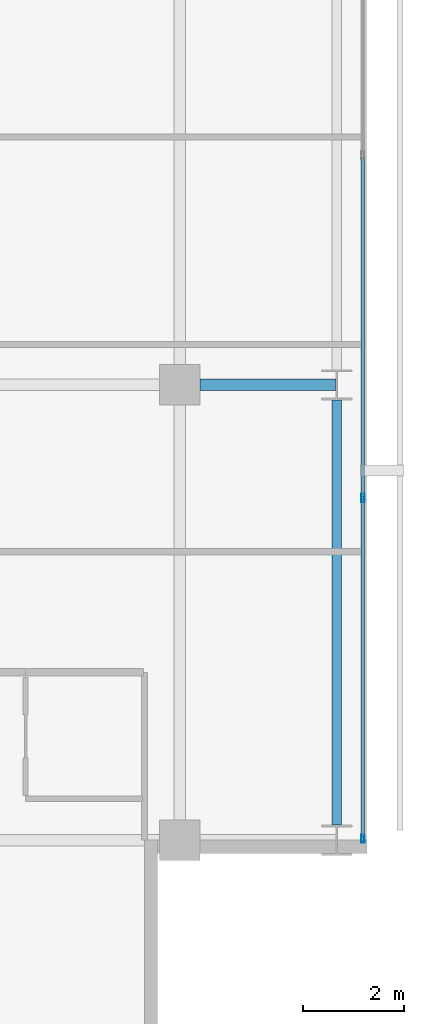
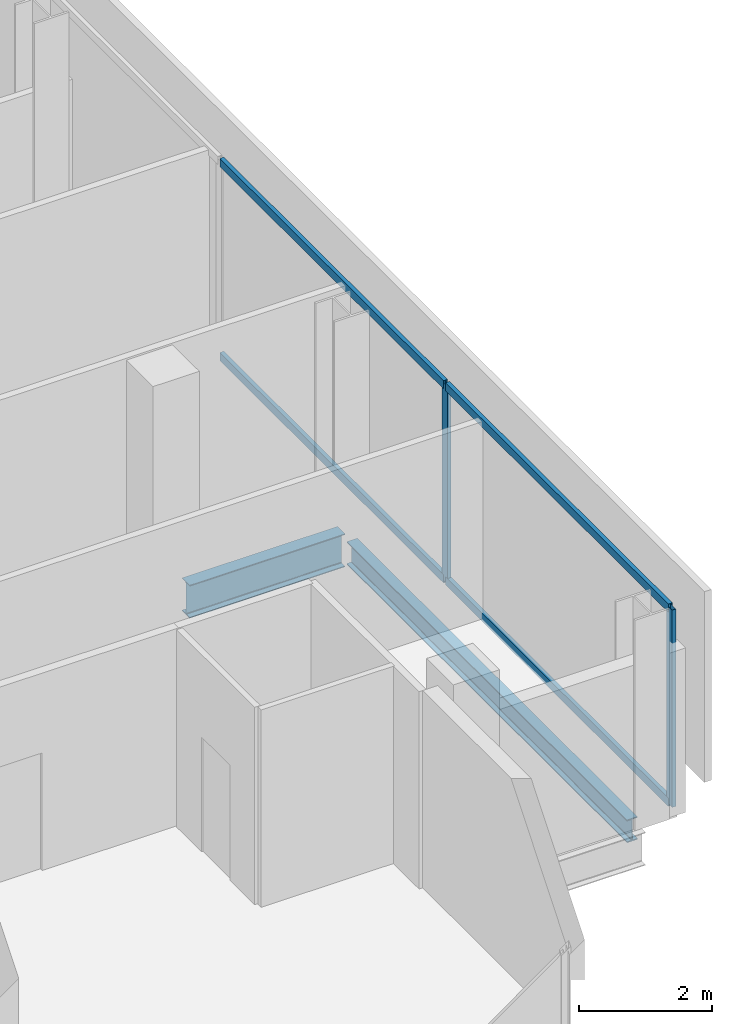
# One storey, part 15 of 34: 6 members, 2 beams, 1 element without a shape of its own.
"""IFC4 building model written with IfcOpenShell, lengths in metres."""

from ifc_helpers import new_model, si_unit, direction, frame, origin, origin_2d, place, context, subcontext, project, spatial, hollow_rectangle, i_section, extrude, material, layer, layer_set, material_profile, profile_set, type_object, element, aggregate, save


model = new_model("IFC4")

# Units and contexts
model_context = context("Model", 3, precision=1e-05, world=origin(), true_north=direction((0.0, 1.0)))
body_context = subcontext(model_context, "Body", "Model", "MODEL_VIEW")
ifc_project = project(units=[si_unit("LENGTHUNIT", "METRE"), si_unit("AREAUNIT", "SQUARE_METRE"), si_unit("VOLUMEUNIT", "CUBIC_METRE"), si_unit("PLANEANGLEUNIT", "RADIAN"), si_unit("MASSUNIT", "GRAM", prefix="KILO")], contexts=[model_context])

# Site, building, storey
site_placement = place(None, origin())
site = spatial("IfcSite", under=ifc_project, at=site_placement, CompositionType="ELEMENT")
building_placement = place(site_placement, origin())
building = spatial("IfcBuilding", under=site, at=building_placement, Name="Maruvema Waterfront Hotel and Observation Tower", CompositionType="ELEMENT")
storey_placement = place(building_placement, frame((0.0, 0.0, 181.300048828125)))
storey = spatial("IfcBuildingStorey", under=building, at=storey_placement, Name="L44", CompositionType="ELEMENT", Elevation=181.300048828125)

# Curtain wall, members
ifc_material_1 = material(Name="Anodised bronze aluminium and solar-control low-E IGU", Category="aluminium")
ifc_layer = layer(ifc_material_1, 0.159912109375, Name="Zone 2 Amber Inner Thermal Curtain Wall System CW-03")
ifc_layer_set = layer_set([ifc_layer], Name="Anodised bronze aluminium and solar-control low-E IGU")
curtain_wall_type = type_object("IfcCurtainWallType", Name="Zone 2 Amber Inner Thermal Curtain Wall System CW-03", PredefinedType="USERDEFINED", material=ifc_layer_set)
curtain_wall_placement = place(storey_placement, origin())
curtain_wall = element("IfcCurtainWall", 1, at=curtain_wall_placement, inside=storey, type_object=curtain_wall_type, Name="L44 Curtain Wall CW-L44-E", ObjectType="UNITISED CURTAIN WALL", PredefinedType="USERDEFINED")
ifc_material_2 = material(Name="Anodised architectural bronze aluminium", Category="aluminium")
ifc_material_profile_1 = material_profile(ifc_material_2, hollow_rectangle(XDim=0.070068359375, YDim=0.14990234375, WallThickness=0.00390625, at=origin_2d()), Name="ALU-T70x150")
ifc_profile_set_1 = profile_set([ifc_material_profile_1], Name="Anodised architectural bronze aluminium")
member_type_1 = type_object("IfcMemberType", Name="Curtain Wall Horizontal Transom ALU-T70x150", PredefinedType="USERDEFINED", material=ifc_profile_set_1)
member_1_placement = place(storey_placement, frame((62.419921875, 9.06005859375, 0.030029296875), z_axis=(0.0, 1.0, 0.0), x_axis=(-1.0, 0.0, 0.0)))
member_1 = element("IfcMember", 2, at=member_1_placement, type_object=member_type_1, Name="CW-03 transom 1.1", ObjectType="TRANSOM", PredefinedType="USERDEFINED", context=body_context, shape_type="SweptSolid", body=[
    extrude(hollow_rectangle(XDim=0.070068359375, YDim=0.14990234375, WallThickness=0.00390625, at=origin_2d()), origin(), (0.0, 0.0, 1.0), 6.676513671875),
])
member_2_placement = place(storey_placement, frame((62.419921875, 9.06005859375, 3.579833984375), z_axis=(0.0, 1.0, 0.0), x_axis=(-1.0, 0.0, 0.0)))
member_2 = element("IfcMember", 3, at=member_2_placement, type_object=member_type_1, Name="CW-03 transom 1.2", ObjectType="TRANSOM", PredefinedType="USERDEFINED", context=body_context, shape_type="SweptSolid", body=[
    extrude(hollow_rectangle(XDim=0.070068359375, YDim=0.14990234375, WallThickness=0.00390625, at=origin_2d()), origin(), (0.0, 0.0, 1.0), 6.676513671875),
])
member_3_placement = place(storey_placement, frame((62.419921875, 15.796630859375, 0.030029296875), z_axis=(0.0, 1.0, 0.0), x_axis=(-1.0, 0.0, 0.0)))
member_3 = element("IfcMember", 4, at=member_3_placement, type_object=member_type_1, Name="CW-03 transom 2.1", ObjectType="TRANSOM", PredefinedType="USERDEFINED", context=body_context, shape_type="SweptSolid", body=[
    extrude(hollow_rectangle(XDim=0.070068359375, YDim=0.14990234375, WallThickness=0.00390625, at=origin_2d()), origin(), (0.0, 0.0, 1.0), 6.706787109375),
])
member_4_placement = place(storey_placement, frame((62.419921875, 15.796630859375, 3.579833984375), z_axis=(0.0, 1.0, 0.0), x_axis=(-1.0, 0.0, 0.0)))
member_4 = element("IfcMember", 5, at=member_4_placement, type_object=member_type_1, Name="CW-03 transom 2.2", ObjectType="TRANSOM", PredefinedType="USERDEFINED", context=body_context, shape_type="SweptSolid", body=[
    extrude(hollow_rectangle(XDim=0.070068359375, YDim=0.14990234375, WallThickness=0.00390625, at=origin_2d()), origin(), (0.0, 0.0, 1.0), 6.706787109375),
])
ifc_material_3 = material(Name="Anodised architectural bronze aluminium", Category="aluminium")
ifc_material_profile_2 = material_profile(ifc_material_3, hollow_rectangle(XDim=0.06494140625, YDim=0.1650390625, WallThickness=0.00390625, at=origin_2d()), Name="ALU-M65x165")
ifc_profile_set_2 = profile_set([ifc_material_profile_2], Name="Anodised architectural bronze aluminium")
member_type_2 = type_object("IfcMemberType", Name="Curtain Wall Primary Mullion ALU-M65x165", PredefinedType="MULLION", material=ifc_profile_set_2)
member_5_placement = place(storey_placement, frame((62.419921875, 9.030029296875, 0.0), z_axis=(0.0, 0.0, 1.0), x_axis=(-1.0, 0.0, 0.0)))
member_5 = element("IfcMember", 6, at=member_5_placement, type_object=member_type_2, Name="CW-03 mullion 1", PredefinedType="MULLION", context=body_context, shape_type="SweptSolid", body=[
    extrude(hollow_rectangle(XDim=0.06494140625, YDim=0.1650390625, WallThickness=0.00390625, at=origin_2d()), origin(), (0.0, 0.0, 1.0), 3.60986328125),
])
member_6_placement = place(storey_placement, frame((62.419921875, 15.7666015625, 0.0), z_axis=(0.0, 0.0, 1.0), x_axis=(-1.0, 0.0, 0.0)))
member_6 = element("IfcMember", 7, at=member_6_placement, type_object=member_type_2, Name="CW-03 mullion 2", PredefinedType="MULLION", context=body_context, shape_type="SweptSolid", body=[
    extrude(hollow_rectangle(XDim=0.06494140625, YDim=0.1650390625, WallThickness=0.00390625, at=origin_2d()), origin(), (0.0, 0.0, 1.0), 3.60986328125),
])
aggregate(curtain_wall, [member_5, member_6, member_1, member_2, member_3, member_4])

# Beams
ifc_material_4 = material(Name="Steel ASTM A572 Grade 50", Category="steel")
ifc_material_profile_3 = material_profile(ifc_material_4, i_section(OverallWidth=0.180908203125, OverallDepth=0.4169921875, WebThickness=0.010986328125, FlangeThickness=0.018310546875, FilletRadius=0.014892578125, at=origin_2d()), Name="W410x85.0")
ifc_profile_set_3 = profile_set([ifc_material_profile_3], Name="Steel ASTM A572 Grade 50")
beam_type_1 = type_object("IfcBeamType", Name="Perimeter Spandrel Beam W410x85.0", PredefinedType="SPANDREL", material=ifc_profile_set_3)
beam_1_placement = place(storey_placement, frame((61.89990234375, 9.300048828125, -0.448486328125), z_axis=(0.0, 1.0, 0.0), x_axis=(-1.0, 0.0, 0.0)))
element("IfcBeam", 8, at=beam_1_placement, inside=storey, type_object=beam_type_1, Name="L44 Floor Girder NS-29", PredefinedType="SPANDREL", context=body_context, shape_type="SweptSolid", body=[
    extrude(i_section(OverallWidth=0.180908203125, OverallDepth=0.4169921875, WebThickness=0.010986328125, FlangeThickness=0.018310546875, FilletRadius=0.014892578125, at=origin_2d()), origin(), (0.0, 0.0, 1.0), 8.39990234375),
])
ifc_material_5 = material(Name="Steel ASTM A572 Grade 50", Category="steel")
ifc_material_profile_4 = material_profile(ifc_material_5, i_section(OverallWidth=0.22802734375, OverallDepth=0.60302734375, WebThickness=0.010498046875, FlangeThickness=0.014892578125, FilletRadius=0.01806640625, at=origin_2d()), Name="W610x101.0")
ifc_profile_set_4 = profile_set([ifc_material_profile_4], Name="Steel ASTM A572 Grade 50")
beam_type_2 = type_object("IfcBeamType", Name="Primary Floor Girder W610x101.0", PredefinedType="BEAM", material=ifc_profile_set_4)
beam_2_placement = place(storey_placement, frame((59.199951171875, 18.0, -0.54150390625), z_axis=(1.0, 0.0, 0.0), x_axis=(0.0, 1.0, 0.0)))
element("IfcBeam", 9, at=beam_2_placement, inside=storey, type_object=beam_type_2, Name="L44 Floor Girder EW-17", PredefinedType="BEAM", context=body_context, shape_type="SweptSolid", body=[
    extrude(i_section(OverallWidth=0.22802734375, OverallDepth=0.60302734375, WebThickness=0.010498046875, FlangeThickness=0.014892578125, FilletRadius=0.01806640625, at=origin_2d()), origin(), (0.0, 0.0, 1.0), 2.6875),
])

save(model, "model.ifc")
